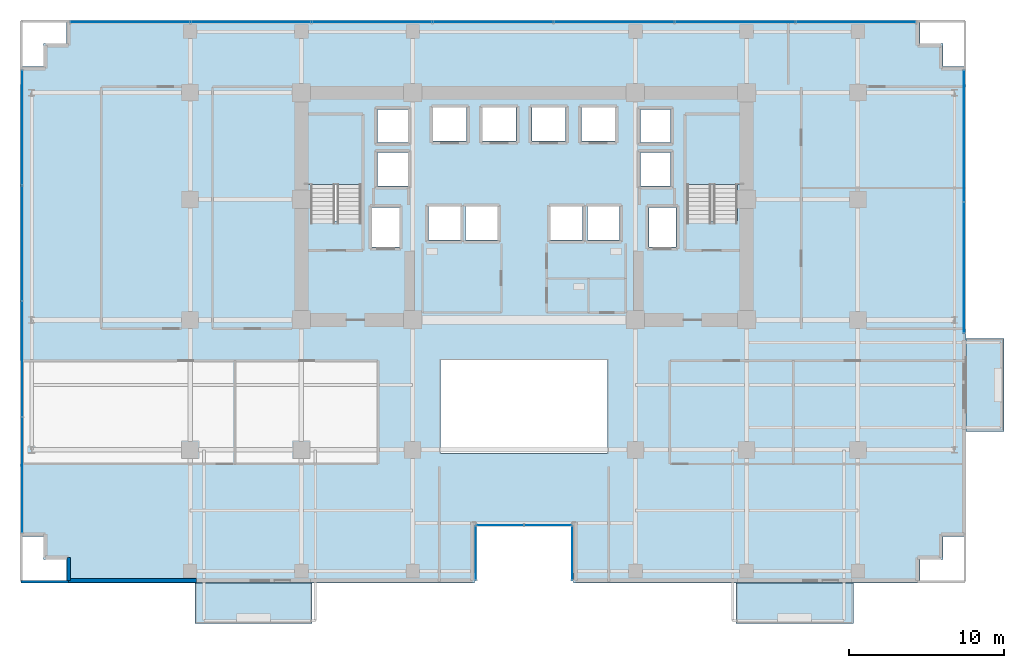
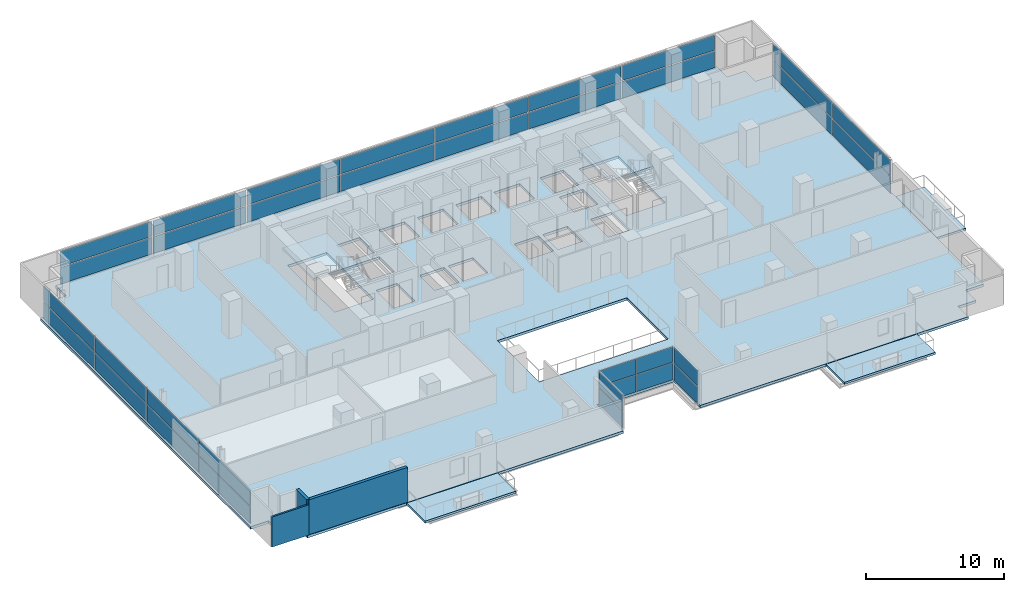
# One storey, part 21 of 29: 34 plates, 6 slabs, 3 walls, 8 elements without a shape of their own.
"""IFC4 building model written with IfcOpenShell, lengths in metres."""

from ifc_helpers import new_model, si_unit, direction, frame, frame_2d, origin, origin_2d, place, context, subcontext, project, spatial, polyline, rectangle, outline, extrude, source, transform, mapped, material, layer, layer_set, type_object, element, aggregate, save


model = new_model("IFC4")

# Units and contexts
model_context = context("Model", 3, precision=1e-05, world=origin(), true_north=direction((0.0, 1.0)))
body_context = subcontext(model_context, "Body", "Model", "MODEL_VIEW")
ifc_project = project(units=[si_unit("LENGTHUNIT", "METRE"), si_unit("AREAUNIT", "SQUARE_METRE"), si_unit("VOLUMEUNIT", "CUBIC_METRE"), si_unit("PLANEANGLEUNIT", "RADIAN"), si_unit("MASSUNIT", "GRAM", prefix="KILO")], contexts=[model_context])

# Site, building, storey
site_placement = place(None, origin())
site = spatial("IfcSite", under=ifc_project, at=site_placement, CompositionType="ELEMENT")
building_placement = place(site_placement, origin())
building = spatial("IfcBuilding", under=site, at=building_placement, Name="Zarnakvel Exchange Tower", CompositionType="ELEMENT")
storey_placement = place(building_placement, frame((0.0, 0.0, 37.300048828125)))
storey = spatial("IfcBuildingStorey", under=building, at=storey_placement, Name="L09", CompositionType="ELEMENT", Elevation=37.300048828125)

# Stair, slab
ifc_material_1 = material(Name="Concrete C40/50", Category="concrete")
stair_type = type_object("IfcStairType", Name="STR-01", PredefinedType="HALF_TURN_STAIR", material=ifc_material_1)
stair_1_placement = place(storey_placement, origin())
stair_1 = element("IfcStair", 1, at=stair_1_placement, inside=storey, type_object=stair_type, Name="L09 Protected Core Exit Stair ST-01", PredefinedType="HALF_TURN_STAIR")
ifc_layer_1 = layer(ifc_material_1, 0.199951171875)
ifc_layer_set_1 = layer_set([ifc_layer_1], Name="Concrete C40/50")
slab_type_1 = type_object("IfcSlabType", Name="LDG-01", PredefinedType="LANDING", material=ifc_layer_set_1)
slab_1_placement = place(storey_placement, frame((0.0, 0.0, 1.449951171875)))
slab_1 = element("IfcSlab", 2, at=slab_1_placement, type_object=slab_type_1, Name="ST-01 landing 1", PredefinedType="LANDING", context=body_context, shape_type="SweptSolid", body=[
    extrude(outline(polyline([(-14.18994140625, 7.570068359375), (-10.4599609375, 7.570068359375), (-10.4599609375, 12.080078125), (-14.18994140625, 12.080078125), (-14.18994140625, 7.570068359375)])), origin(), (0.0, 0.0, 1.0), 0.199951171875),
])
aggregate(stair_1, [slab_1])

stair_2_placement = place(storey_placement, origin())
stair_2 = element("IfcStair", 3, at=stair_2_placement, inside=storey, type_object=stair_type, Name="L09 Protected Core Exit Stair ST-02", PredefinedType="HALF_TURN_STAIR")
slab_2_placement = place(storey_placement, frame((0.0, 0.0, 1.449951171875)))
slab_2 = element("IfcSlab", 4, at=slab_2_placement, type_object=slab_type_1, Name="ST-02 landing 1", PredefinedType="LANDING", context=body_context, shape_type="SweptSolid", body=[
    extrude(outline(polyline([(10.4599609375, 7.570068359375), (14.18994140625, 7.570068359375), (14.18994140625, 12.080078125), (10.4599609375, 12.080078125), (10.4599609375, 7.570068359375)])), origin(), (0.0, 0.0, 1.0), 0.199951171875),
])
aggregate(stair_2, [slab_2])

# Slabs
ifc_layer_2 = layer(ifc_material_1, 0.22509765625)
ifc_layer_set_2 = layer_set([ifc_layer_2], Name="Concrete C40/50")
slab_type_2 = type_object("IfcSlabType", Name="SL-04", PredefinedType="FLOOR", material=ifc_layer_set_2)
slab_3_placement = place(storey_placement, frame((0.0, 0.0, -0.22509765625)))
element("IfcSlab", 5, at=slab_3_placement, inside=storey, type_object=slab_type_2, Name="L09 Primary Structural Floor Slab", PredefinedType="FLOOR", context=body_context, shape_type="SweptSolid", body=[
    extrude(outline(polyline([(-32.60009765625, -15.199951171875), (-31.10009765625, -15.199951171875), (-31.10009765625, -16.699951171875), (-29.60009765625, -16.699951171875), (-29.60009765625, -18.199951171875), (-3.199951171875, -18.199951171875), (-3.199951171875, -14.39990234375), (3.199951171875, -14.39990234375), (3.199951171875, -18.199951171875), (25.60009765625, -18.199951171875), (25.60009765625, -16.699951171875), (27.10009765625, -16.699951171875), (27.10009765625, -15.199951171875), (28.60009765625, -15.199951171875), (28.60009765625, 15.199951171875), (27.10009765625, 15.199951171875), (27.10009765625, 16.699951171875), (25.60009765625, 16.699951171875), (25.60009765625, 18.199951171875), (-29.60009765625, 18.199951171875), (-29.60009765625, 16.699951171875), (-31.10009765625, 16.699951171875), (-31.10009765625, 15.199951171875), (-32.60009765625, 15.199951171875), (-32.60009765625, -15.199951171875)]), holes=[polyline([(-5.39990234375, -9.800048828125), (5.39990234375, -9.800048828125), (5.39990234375, -3.800048828125), (-5.39990234375, -3.800048828125), (-5.39990234375, -9.800048828125)]), polyline([(-13.800048828125, 5.2099609375), (-10.5400390625, 5.2099609375), (-10.5400390625, 12.0), (-13.800048828125, 12.0), (-13.800048828125, 5.2099609375)]), polyline([(10.5400390625, 5.2099609375), (13.800048828125, 5.2099609375), (13.800048828125, 12.0), (10.5400390625, 12.0), (10.5400390625, 5.2099609375)]), polyline([(-9.830078125, 3.52001953125), (-8.070068359375, 3.52001953125), (-8.070068359375, 6.080078125), (-9.830078125, 6.080078125), (-9.830078125, 3.52001953125)]), polyline([(8.070068359375, 3.52001953125), (9.830078125, 3.52001953125), (9.830078125, 6.080078125), (8.070068359375, 6.080078125), (8.070068359375, 3.52001953125)]), polyline([(-5.8798828125, 10.3701171875), (-3.719970703125, 10.3701171875), (-3.719970703125, 12.530029296875), (-5.8798828125, 12.530029296875), (-5.8798828125, 10.3701171875)]), polyline([(-2.679931640625, 10.3701171875), (-0.52001953125, 10.3701171875), (-0.52001953125, 12.530029296875), (-2.679931640625, 12.530029296875), (-2.679931640625, 10.3701171875)]), polyline([(0.52001953125, 10.3701171875), (2.679931640625, 10.3701171875), (2.679931640625, 12.530029296875), (0.52001953125, 12.530029296875), (0.52001953125, 10.3701171875)]), polyline([(3.719970703125, 10.3701171875), (5.8798828125, 10.3701171875), (5.8798828125, 12.530029296875), (3.719970703125, 12.530029296875), (3.719970703125, 10.3701171875)]), polyline([(-6.179931640625, 3.969970703125), (-4.1201171875, 3.969970703125), (-4.1201171875, 6.1298828125), (-6.179931640625, 6.1298828125), (-6.179931640625, 3.969970703125)]), polyline([(-3.780029296875, 3.969970703125), (-1.719970703125, 3.969970703125), (-1.719970703125, 6.1298828125), (-3.780029296875, 6.1298828125), (-3.780029296875, 3.969970703125)]), polyline([(1.719970703125, 3.969970703125), (3.780029296875, 3.969970703125), (3.780029296875, 6.1298828125), (1.719970703125, 6.1298828125), (1.719970703125, 3.969970703125)]), polyline([(4.1201171875, 3.969970703125), (6.179931640625, 3.969970703125), (6.179931640625, 6.1298828125), (4.1201171875, 6.1298828125), (4.1201171875, 3.969970703125)]), polyline([(-9.47998046875, 7.469970703125), (-7.52001953125, 7.469970703125), (-7.52001953125, 9.6298828125), (-9.47998046875, 9.6298828125), (-9.47998046875, 7.469970703125)]), polyline([(-9.47998046875, 10.27001953125), (-7.52001953125, 10.27001953125), (-7.52001953125, 12.429931640625), (-9.47998046875, 12.429931640625), (-9.47998046875, 10.27001953125)]), polyline([(7.52001953125, 7.469970703125), (9.47998046875, 7.469970703125), (9.47998046875, 9.6298828125), (7.52001953125, 9.6298828125), (7.52001953125, 7.469970703125)]), polyline([(7.52001953125, 10.27001953125), (9.47998046875, 10.27001953125), (9.47998046875, 12.429931640625), (7.52001953125, 12.429931640625), (7.52001953125, 10.27001953125)])]), origin(), (0.0, 0.0, 1.0), 0.22509765625),
])
ifc_layer_3 = layer(ifc_material_1, 0.18994140625)
ifc_layer_set_3 = layer_set([ifc_layer_3], Name="Concrete C40/50")
slab_type_3 = type_object("IfcSlabType", Name="SL-08", PredefinedType="USERDEFINED", material=ifc_layer_set_3)
slab_4_placement = place(storey_placement, frame((0.0, 0.0, -0.22509765625)))
element("IfcSlab", 6, at=slab_4_placement, inside=storey, type_object=slab_type_3, Name="L09 Planted Loggia Balcony Slab BAL-L09-SW", ObjectType="BALCONY", PredefinedType="USERDEFINED", context=body_context, shape_type="SweptSolid", body=[
    extrude(outline(polyline([(-21.300048828125, -20.85009765625), (-13.699951171875, -20.85009765625), (-13.699951171875, -18.199951171875), (-21.300048828125, -18.199951171875), (-21.300048828125, -20.85009765625)])), origin(), (0.0, 0.0, 1.0), 0.18994140625),
])
slab_5_placement = place(storey_placement, frame((0.0, 0.0, -0.22509765625)))
element("IfcSlab", 7, at=slab_5_placement, inside=storey, type_object=slab_type_3, Name="L09 Planted Loggia Balcony Slab BAL-L09-SE", ObjectType="BALCONY", PredefinedType="USERDEFINED", context=body_context, shape_type="SweptSolid", body=[
    extrude(outline(polyline([(13.699951171875, -20.85009765625), (21.300048828125, -20.85009765625), (21.300048828125, -18.199951171875), (13.699951171875, -18.199951171875), (13.699951171875, -20.85009765625)])), origin(), (0.0, 0.0, 1.0), 0.18994140625),
])
slab_6_placement = place(storey_placement, frame((0.0, 0.0, -0.22509765625)))
element("IfcSlab", 8, at=slab_6_placement, inside=storey, type_object=slab_type_3, Name="L09 Planted Loggia Balcony Slab BAL-L09-E", ObjectType="BALCONY", PredefinedType="USERDEFINED", context=body_context, shape_type="SweptSolid", body=[
    extrude(outline(polyline([(28.60009765625, -8.39990234375), (31.050048828125, -8.39990234375), (31.050048828125, -2.39990234375), (28.60009765625, -2.39990234375), (28.60009765625, -8.39990234375)])), origin(), (0.0, 0.0, 1.0), 0.18994140625),
])

# Curtain wall, plate
ifc_material_2 = material(Name="Architectural Bronze Anodised Aluminium", Category="aluminium")
ifc_layer_4 = layer(ifc_material_2, 0.179931640625)
ifc_layer_set_4 = layer_set([ifc_layer_4], Name="Architectural Bronze Anodised Aluminium")
curtain_wall_type_1 = type_object("IfcCurtainWallType", Name="CW-05", PredefinedType="NOTDEFINED", material=ifc_layer_set_4)
curtain_wall_1_placement = place(storey_placement, origin())
curtain_wall_1 = element("IfcCurtainWall", 9, at=curtain_wall_1_placement, inside=storey, type_object=curtain_wall_type_1, Name="L09 Curtain Wall CW-L09-SLW (CW-05)", PredefinedType="NOTDEFINED")
ifc_material_3 = material(Name="Double Low-E Laminated Vision Glass", Category="glass")
ifc_layer_5 = layer(ifc_material_3, 0.02587890625)
ifc_layer_set_5 = layer_set([ifc_layer_5], Name="Double Low-E Laminated Vision Glass")
plate_type_1 = type_object("IfcPlateType", Name="CWP-05", PredefinedType="CURTAIN_PANEL", material=ifc_layer_set_5)
shared_shape_1 = source(origin(), body_context, "Body", "SweptSolid", [
    extrude(rectangle(XDim=3.4599609375, YDim=0.02587890625, at=origin_2d()), origin(), (0.0, 0.0, 1.0), 1.483642578125),
])
plate_1_placement = place(storey_placement, frame((-3.1201171875, -16.280029296875, 0.06982421875), z_axis=(0.0, 0.0, 1.0), x_axis=(0.0, 1.0, 0.0)))
plate_1 = element("IfcPlate", 10, at=plate_1_placement, type_object=plate_type_1, Name="CW-05 panel 1.1", PredefinedType="CURTAIN_PANEL", context=body_context, shape_type="MappedRepresentation", body=[
    mapped(shared_shape_1, transform((0.0, 0.0, 0.0), x_axis=(1.0, 0.0, 0.0), y_axis=(0.0, 1.0, 0.0), z_axis=(0.0, 0.0, 1.0), scale=1.0)),
])

curtain_wall_2_placement = place(storey_placement, origin())
curtain_wall_2 = element("IfcCurtainWall", 11, at=curtain_wall_2_placement, inside=storey, type_object=curtain_wall_type_1, Name="L09 Curtain Wall CW-L09-SLE (CW-05)", PredefinedType="NOTDEFINED")
plate_2_placement = place(storey_placement, frame((3.1201171875, -16.280029296875, 0.06982421875), z_axis=(0.0, 0.0, 1.0), x_axis=(0.0, -1.0, 0.0)))
plate_2 = element("IfcPlate", 12, at=plate_2_placement, type_object=plate_type_1, Name="CW-05 panel 1.1", PredefinedType="CURTAIN_PANEL", context=body_context, shape_type="MappedRepresentation", body=[
    mapped(shared_shape_1, transform((0.0, 0.0, 0.0), x_axis=(1.0, 0.0, 0.0), y_axis=(0.0, 1.0, 0.0), z_axis=(0.0, 0.0, 1.0), scale=1.0)),
])

# Plate
shared_shape_2 = source(origin(), body_context, "Body", "SweptSolid", [
    extrude(rectangle(XDim=3.4599609375, YDim=0.02587890625, at=origin_2d()), origin(), (0.0, 0.0, 1.0), 1.361328125),
])
plate_3_placement = place(storey_placement, frame((-3.1201171875, -16.280029296875, 1.62353515625), z_axis=(0.0, 0.0, 1.0), x_axis=(0.0, 1.0, 0.0)))
plate_3 = element("IfcPlate", 13, at=plate_3_placement, type_object=plate_type_1, Name="CW-05 panel 1.2", PredefinedType="CURTAIN_PANEL", context=body_context, shape_type="MappedRepresentation", body=[
    mapped(shared_shape_2, transform((0.0, 0.0, 0.0), x_axis=(1.0, 0.0, 0.0), y_axis=(0.0, 1.0, 0.0), z_axis=(0.0, 0.0, 1.0), scale=1.0)),
])

aggregate(curtain_wall_1, [plate_1, plate_3])

plate_4_placement = place(storey_placement, frame((3.1201171875, -16.280029296875, 1.62353515625), z_axis=(0.0, 0.0, 1.0), x_axis=(0.0, -1.0, 0.0)))
plate_4 = element("IfcPlate", 14, at=plate_4_placement, type_object=plate_type_1, Name="CW-05 panel 1.2", PredefinedType="CURTAIN_PANEL", context=body_context, shape_type="MappedRepresentation", body=[
    mapped(shared_shape_2, transform((0.0, 0.0, 0.0), x_axis=(1.0, 0.0, 0.0), y_axis=(0.0, 1.0, 0.0), z_axis=(0.0, 0.0, 1.0), scale=1.0)),
])

aggregate(curtain_wall_2, [plate_2, plate_4])

# Curtain wall, plates
curtain_wall_3_placement = place(storey_placement, origin())
curtain_wall_3 = element("IfcCurtainWall", 15, at=curtain_wall_3_placement, inside=storey, type_object=curtain_wall_type_1, Name="L09 Curtain Wall CW-L09-SLB (CW-05)", PredefinedType="NOTDEFINED")
shared_shape_3 = source(origin(), body_context, "Body", "SweptSolid", [
    extrude(rectangle(XDim=3.014892578125, YDim=0.02587890625, at=origin_2d()), origin(), (0.0, 0.0, 1.0), 1.483642578125),
])
plate_5_placement = place(storey_placement, frame((-1.54248046875, -14.47998046875, 0.06982421875), z_axis=(0.0, 0.0, 1.0), x_axis=(1.0, 0.0, 0.0)))
plate_5 = element("IfcPlate", 16, at=plate_5_placement, type_object=plate_type_1, Name="CW-05 panel 1.1", PredefinedType="CURTAIN_PANEL", context=body_context, shape_type="MappedRepresentation", body=[
    mapped(shared_shape_3, transform((0.0, 0.0, 0.0), x_axis=(1.0, 0.0, 0.0), y_axis=(0.0, 1.0, 0.0), z_axis=(0.0, 0.0, 1.0), scale=1.0)),
])
plate_6_placement = place(storey_placement, frame((1.54248046875, -14.47998046875, 0.06982421875), z_axis=(0.0, 0.0, 1.0), x_axis=(1.0, 0.0, 0.0)))
plate_6 = element("IfcPlate", 17, at=plate_6_placement, type_object=plate_type_1, Name="CW-05 panel 2.1", PredefinedType="CURTAIN_PANEL", context=body_context, shape_type="MappedRepresentation", body=[
    mapped(shared_shape_3, transform((0.0, 0.0, 0.0), x_axis=(1.0, 0.0, 0.0), y_axis=(0.0, 1.0, 0.0), z_axis=(0.0, 0.0, 1.0), scale=1.0)),
])
shared_shape_4 = source(origin(), body_context, "Body", "SweptSolid", [
    extrude(rectangle(XDim=3.014892578125, YDim=0.02587890625, at=origin_2d()), origin(), (0.0, 0.0, 1.0), 1.361328125),
])
plate_7_placement = place(storey_placement, frame((-1.54248046875, -14.47998046875, 1.62353515625), z_axis=(0.0, 0.0, 1.0), x_axis=(1.0, 0.0, 0.0)))
plate_7 = element("IfcPlate", 18, at=plate_7_placement, type_object=plate_type_1, Name="CW-05 panel 1.2", PredefinedType="CURTAIN_PANEL", context=body_context, shape_type="MappedRepresentation", body=[
    mapped(shared_shape_4, transform((0.0, 0.0, 0.0), x_axis=(1.0, 0.0, 0.0), y_axis=(0.0, 1.0, 0.0), z_axis=(0.0, 0.0, 1.0), scale=1.0)),
])
plate_8_placement = place(storey_placement, frame((1.54248046875, -14.47998046875, 1.62353515625), z_axis=(0.0, 0.0, 1.0), x_axis=(1.0, 0.0, 0.0)))
plate_8 = element("IfcPlate", 19, at=plate_8_placement, type_object=plate_type_1, Name="CW-05 panel 2.2", PredefinedType="CURTAIN_PANEL", context=body_context, shape_type="MappedRepresentation", body=[
    mapped(shared_shape_4, transform((0.0, 0.0, 0.0), x_axis=(1.0, 0.0, 0.0), y_axis=(0.0, 1.0, 0.0), z_axis=(0.0, 0.0, 1.0), scale=1.0)),
])
aggregate(curtain_wall_3, [plate_5, plate_7, plate_6, plate_8])

ifc_layer_6 = layer(ifc_material_2, 0.239990234375)
ifc_layer_set_6 = layer_set([ifc_layer_6], Name="Architectural Bronze Anodised Aluminium")
curtain_wall_type_2 = type_object("IfcCurtainWallType", Name="CW-02", PredefinedType="NOTDEFINED", material=ifc_layer_set_6)
curtain_wall_4_placement = place(storey_placement, origin())
curtain_wall_4 = element("IfcCurtainWall", 20, at=curtain_wall_4_placement, inside=storey, type_object=curtain_wall_type_2, Name="L09 Curtain Wall CW-L09-N1 (CW-02)", PredefinedType="NOTDEFINED")
ifc_layer_7 = layer(ifc_material_3, 0.031982421875)
ifc_layer_set_7 = layer_set([ifc_layer_7], Name="Double Low-E Laminated Vision Glass")
plate_type_2 = type_object("IfcPlateType", Name="CWP-02", PredefinedType="CURTAIN_PANEL", material=ifc_layer_set_7)
shared_shape_5 = source(origin(), body_context, "Body", "SweptSolid", [
    extrude(rectangle(XDim=7.693603515625, YDim=0.031982421875, at=origin_2d()), origin(), (0.0, 0.0, 1.0), 1.461181640625),
])
plate_9_placement = place(storey_placement, frame((-25.463134765625, 18.06005859375, 0.0849609375), z_axis=(0.0, 0.0, 1.0), x_axis=(1.0, 0.0, 0.0)))
plate_9 = element("IfcPlate", 21, at=plate_9_placement, type_object=plate_type_2, Name="CW-02 panel 1.1", PredefinedType="CURTAIN_PANEL", context=body_context, shape_type="MappedRepresentation", body=[
    mapped(shared_shape_5, transform((0.0, 0.0, 0.0), x_axis=(1.0, 0.0, 0.0), y_axis=(0.0, 1.0, 0.0), z_axis=(0.0, 0.0, 1.0), scale=1.0)),
])
plate_10_placement = place(storey_placement, frame((21.463134765625, 18.06005859375, 0.0849609375), z_axis=(0.0, 0.0, 1.0), x_axis=(1.0, 0.0, 0.0)))
plate_10 = element("IfcPlate", 22, at=plate_10_placement, type_object=plate_type_2, Name="CW-02 panel 7.1", PredefinedType="CURTAIN_PANEL", context=body_context, shape_type="MappedRepresentation", body=[
    mapped(shared_shape_5, transform((0.0, 0.0, 0.0), x_axis=(1.0, 0.0, 0.0), y_axis=(0.0, 1.0, 0.0), z_axis=(0.0, 0.0, 1.0), scale=1.0)),
])
shared_shape_6 = source(origin(), body_context, "Body", "SweptSolid", [
    extrude(rectangle(XDim=7.693603515625, YDim=0.031982421875, at=origin_2d()), origin(), (0.0, 0.0, 1.0), 1.3388671875),
])
plate_11_placement = place(storey_placement, frame((-25.463134765625, 18.06005859375, 1.631103515625), z_axis=(0.0, 0.0, 1.0), x_axis=(1.0, 0.0, 0.0)))
plate_11 = element("IfcPlate", 23, at=plate_11_placement, type_object=plate_type_2, Name="CW-02 panel 1.2", PredefinedType="CURTAIN_PANEL", context=body_context, shape_type="MappedRepresentation", body=[
    mapped(shared_shape_6, transform((0.0, 0.0, 0.0), x_axis=(1.0, 0.0, 0.0), y_axis=(0.0, 1.0, 0.0), z_axis=(0.0, 0.0, 1.0), scale=1.0)),
])
plate_12_placement = place(storey_placement, frame((21.463134765625, 18.06005859375, 1.631103515625), z_axis=(0.0, 0.0, 1.0), x_axis=(1.0, 0.0, 0.0)))
plate_12 = element("IfcPlate", 24, at=plate_12_placement, type_object=plate_type_2, Name="CW-02 panel 7.2", PredefinedType="CURTAIN_PANEL", context=body_context, shape_type="MappedRepresentation", body=[
    mapped(shared_shape_6, transform((0.0, 0.0, 0.0), x_axis=(1.0, 0.0, 0.0), y_axis=(0.0, 1.0, 0.0), z_axis=(0.0, 0.0, 1.0), scale=1.0)),
])
shared_shape_7 = source(origin(), body_context, "Body", "SweptSolid", [
    extrude(rectangle(XDim=7.738525390625, YDim=0.031982421875, at=origin_2d()), origin(), (0.0, 0.0, 1.0), 1.461181640625),
])
plate_13_placement = place(storey_placement, frame((-17.6572265625, 18.06005859375, 0.0849609375), z_axis=(0.0, 0.0, 1.0), x_axis=(1.0, 0.0, 0.0)))
plate_13 = element("IfcPlate", 25, at=plate_13_placement, type_object=plate_type_2, Name="CW-02 panel 2.1", PredefinedType="CURTAIN_PANEL", context=body_context, shape_type="MappedRepresentation", body=[
    mapped(shared_shape_7, transform((0.0, 0.0, 0.0), x_axis=(1.0, 0.0, 0.0), y_axis=(0.0, 1.0, 0.0), z_axis=(0.0, 0.0, 1.0), scale=1.0)),
])
plate_14_placement = place(storey_placement, frame((-9.82861328125, 18.06005859375, 0.0849609375), z_axis=(0.0, 0.0, 1.0), x_axis=(1.0, 0.0, 0.0)))
plate_14 = element("IfcPlate", 26, at=plate_14_placement, type_object=plate_type_2, Name="CW-02 panel 3.1", PredefinedType="CURTAIN_PANEL", context=body_context, shape_type="MappedRepresentation", body=[
    mapped(shared_shape_7, transform((0.0, 0.0, 0.0), x_axis=(1.0, 0.0, 0.0), y_axis=(0.0, 1.0, 0.0), z_axis=(0.0, 0.0, 1.0), scale=1.0)),
])
plate_15_placement = place(storey_placement, frame((-2.0, 18.06005859375, 0.0849609375), z_axis=(0.0, 0.0, 1.0), x_axis=(1.0, 0.0, 0.0)))
plate_15 = element("IfcPlate", 27, at=plate_15_placement, type_object=plate_type_2, Name="CW-02 panel 4.1", PredefinedType="CURTAIN_PANEL", context=body_context, shape_type="MappedRepresentation", body=[
    mapped(shared_shape_7, transform((0.0, 0.0, 0.0), x_axis=(1.0, 0.0, 0.0), y_axis=(0.0, 1.0, 0.0), z_axis=(0.0, 0.0, 1.0), scale=1.0)),
])
plate_16_placement = place(storey_placement, frame((5.82861328125, 18.06005859375, 0.0849609375), z_axis=(0.0, 0.0, 1.0), x_axis=(1.0, 0.0, 0.0)))
plate_16 = element("IfcPlate", 28, at=plate_16_placement, type_object=plate_type_2, Name="CW-02 panel 5.1", PredefinedType="CURTAIN_PANEL", context=body_context, shape_type="MappedRepresentation", body=[
    mapped(shared_shape_7, transform((0.0, 0.0, 0.0), x_axis=(1.0, 0.0, 0.0), y_axis=(0.0, 1.0, 0.0), z_axis=(0.0, 0.0, 1.0), scale=1.0)),
])
plate_17_placement = place(storey_placement, frame((13.6572265625, 18.06005859375, 0.0849609375), z_axis=(0.0, 0.0, 1.0), x_axis=(1.0, 0.0, 0.0)))
plate_17 = element("IfcPlate", 29, at=plate_17_placement, type_object=plate_type_2, Name="CW-02 panel 6.1", PredefinedType="CURTAIN_PANEL", context=body_context, shape_type="MappedRepresentation", body=[
    mapped(shared_shape_7, transform((0.0, 0.0, 0.0), x_axis=(1.0, 0.0, 0.0), y_axis=(0.0, 1.0, 0.0), z_axis=(0.0, 0.0, 1.0), scale=1.0)),
])
shared_shape_8 = source(origin(), body_context, "Body", "SweptSolid", [
    extrude(rectangle(XDim=7.738525390625, YDim=0.031982421875, at=origin_2d()), origin(), (0.0, 0.0, 1.0), 1.3388671875),
])
plate_18_placement = place(storey_placement, frame((-17.6572265625, 18.06005859375, 1.631103515625), z_axis=(0.0, 0.0, 1.0), x_axis=(1.0, 0.0, 0.0)))
plate_18 = element("IfcPlate", 30, at=plate_18_placement, type_object=plate_type_2, Name="CW-02 panel 2.2", PredefinedType="CURTAIN_PANEL", context=body_context, shape_type="MappedRepresentation", body=[
    mapped(shared_shape_8, transform((0.0, 0.0, 0.0), x_axis=(1.0, 0.0, 0.0), y_axis=(0.0, 1.0, 0.0), z_axis=(0.0, 0.0, 1.0), scale=1.0)),
])
plate_19_placement = place(storey_placement, frame((-9.82861328125, 18.06005859375, 1.631103515625), z_axis=(0.0, 0.0, 1.0), x_axis=(1.0, 0.0, 0.0)))
plate_19 = element("IfcPlate", 31, at=plate_19_placement, type_object=plate_type_2, Name="CW-02 panel 3.2", PredefinedType="CURTAIN_PANEL", context=body_context, shape_type="MappedRepresentation", body=[
    mapped(shared_shape_8, transform((0.0, 0.0, 0.0), x_axis=(1.0, 0.0, 0.0), y_axis=(0.0, 1.0, 0.0), z_axis=(0.0, 0.0, 1.0), scale=1.0)),
])
plate_20_placement = place(storey_placement, frame((-2.0, 18.06005859375, 1.631103515625), z_axis=(0.0, 0.0, 1.0), x_axis=(1.0, 0.0, 0.0)))
plate_20 = element("IfcPlate", 32, at=plate_20_placement, type_object=plate_type_2, Name="CW-02 panel 4.2", PredefinedType="CURTAIN_PANEL", context=body_context, shape_type="MappedRepresentation", body=[
    mapped(shared_shape_8, transform((0.0, 0.0, 0.0), x_axis=(1.0, 0.0, 0.0), y_axis=(0.0, 1.0, 0.0), z_axis=(0.0, 0.0, 1.0), scale=1.0)),
])
plate_21_placement = place(storey_placement, frame((5.82861328125, 18.06005859375, 1.631103515625), z_axis=(0.0, 0.0, 1.0), x_axis=(1.0, 0.0, 0.0)))
plate_21 = element("IfcPlate", 33, at=plate_21_placement, type_object=plate_type_2, Name="CW-02 panel 5.2", PredefinedType="CURTAIN_PANEL", context=body_context, shape_type="MappedRepresentation", body=[
    mapped(shared_shape_8, transform((0.0, 0.0, 0.0), x_axis=(1.0, 0.0, 0.0), y_axis=(0.0, 1.0, 0.0), z_axis=(0.0, 0.0, 1.0), scale=1.0)),
])
plate_22_placement = place(storey_placement, frame((13.6572265625, 18.06005859375, 1.631103515625), z_axis=(0.0, 0.0, 1.0), x_axis=(1.0, 0.0, 0.0)))
plate_22 = element("IfcPlate", 34, at=plate_22_placement, type_object=plate_type_2, Name="CW-02 panel 6.2", PredefinedType="CURTAIN_PANEL", context=body_context, shape_type="MappedRepresentation", body=[
    mapped(shared_shape_8, transform((0.0, 0.0, 0.0), x_axis=(1.0, 0.0, 0.0), y_axis=(0.0, 1.0, 0.0), z_axis=(0.0, 0.0, 1.0), scale=1.0)),
])
aggregate(curtain_wall_4, [plate_9, plate_11, plate_13, plate_18, plate_14, plate_19, plate_15, plate_20, plate_16, plate_21, plate_17, plate_22, plate_10, plate_12])

ifc_layer_8 = layer(ifc_material_2, 0.199951171875)
ifc_layer_set_8 = layer_set([ifc_layer_8], Name="Architectural Bronze Anodised Aluminium")
curtain_wall_type_3 = type_object("IfcCurtainWallType", Name="CW-04", PredefinedType="NOTDEFINED", material=ifc_layer_set_8)
curtain_wall_5_placement = place(storey_placement, origin())
curtain_wall_5 = element("IfcCurtainWall", 35, at=curtain_wall_5_placement, inside=storey, type_object=curtain_wall_type_3, Name="L09 Curtain Wall CW-L09-EN (CW-04)", PredefinedType="NOTDEFINED")
ifc_layer_9 = layer(ifc_material_3, 0.028076171875)
ifc_layer_set_9 = layer_set([ifc_layer_9], Name="Double Low-E Laminated Vision Glass")
plate_type_3 = type_object("IfcPlateType", Name="CWP-04", PredefinedType="CURTAIN_PANEL", material=ifc_layer_set_9)
shared_shape_9 = source(origin(), body_context, "Body", "SweptSolid", [
    extrude(rectangle(XDim=8.4375, YDim=0.028076171875, at=origin_2d()), origin(), (0.0, 0.0, 1.0), 1.47607421875),
])
plate_23_placement = place(storey_placement, frame((28.4599609375, 2.19384765625, 0.074951171875), z_axis=(0.0, 0.0, 1.0), x_axis=(0.0, 1.0, 0.0)))
plate_23 = element("IfcPlate", 36, at=plate_23_placement, type_object=plate_type_3, Name="CW-04 panel 1.1", PredefinedType="CURTAIN_PANEL", context=body_context, shape_type="MappedRepresentation", body=[
    mapped(shared_shape_9, transform((0.0, 0.0, 0.0), x_axis=(1.0, 0.0, 0.0), y_axis=(0.0, 1.0, 0.0), z_axis=(0.0, 0.0, 1.0), scale=1.0)),
])
plate_24_placement = place(storey_placement, frame((28.4599609375, 10.706298828125, 0.074951171875), z_axis=(0.0, 0.0, 1.0), x_axis=(0.0, 1.0, 0.0)))
plate_24 = element("IfcPlate", 37, at=plate_24_placement, type_object=plate_type_3, Name="CW-04 panel 2.1", PredefinedType="CURTAIN_PANEL", context=body_context, shape_type="MappedRepresentation", body=[
    mapped(shared_shape_9, transform((0.0, 0.0, 0.0), x_axis=(1.0, 0.0, 0.0), y_axis=(0.0, 1.0, 0.0), z_axis=(0.0, 0.0, 1.0), scale=1.0)),
])
shared_shape_10 = source(origin(), body_context, "Body", "SweptSolid", [
    extrude(rectangle(XDim=8.4375, YDim=0.028076171875, at=origin_2d()), origin(), (0.0, 0.0, 1.0), 1.35400390625),
])
plate_25_placement = place(storey_placement, frame((28.4599609375, 2.19384765625, 1.6259765625), z_axis=(0.0, 0.0, 1.0), x_axis=(0.0, 1.0, 0.0)))
plate_25 = element("IfcPlate", 38, at=plate_25_placement, type_object=plate_type_3, Name="CW-04 panel 1.2", PredefinedType="CURTAIN_PANEL", context=body_context, shape_type="MappedRepresentation", body=[
    mapped(shared_shape_10, transform((0.0, 0.0, 0.0), x_axis=(1.0, 0.0, 0.0), y_axis=(0.0, 1.0, 0.0), z_axis=(0.0, 0.0, 1.0), scale=1.0)),
])
plate_26_placement = place(storey_placement, frame((28.4599609375, 10.706298828125, 1.6259765625), z_axis=(0.0, 0.0, 1.0), x_axis=(0.0, 1.0, 0.0)))
plate_26 = element("IfcPlate", 39, at=plate_26_placement, type_object=plate_type_3, Name="CW-04 panel 2.2", PredefinedType="CURTAIN_PANEL", context=body_context, shape_type="MappedRepresentation", body=[
    mapped(shared_shape_10, transform((0.0, 0.0, 0.0), x_axis=(1.0, 0.0, 0.0), y_axis=(0.0, 1.0, 0.0), z_axis=(0.0, 0.0, 1.0), scale=1.0)),
])
aggregate(curtain_wall_5, [plate_23, plate_25, plate_24, plate_26])

curtain_wall_6_placement = place(storey_placement, origin())
curtain_wall_6 = element("IfcCurtainWall", 40, at=curtain_wall_6_placement, inside=storey, type_object=curtain_wall_type_3, Name="L09 Curtain Wall CW-L09-W1 (CW-04)", PredefinedType="NOTDEFINED")
shared_shape_11 = source(origin(), body_context, "Body", "SweptSolid", [
    extrude(rectangle(XDim=7.387451171875, YDim=0.028076171875, at=origin_2d()), origin(), (0.0, 0.0, 1.0), 1.47607421875),
])
plate_27_placement = place(storey_placement, frame((-32.4599609375, -11.231201171875, 0.074951171875), z_axis=(0.0, 0.0, 1.0), x_axis=(0.0, 1.0, 0.0)))
plate_27 = element("IfcPlate", 41, at=plate_27_placement, type_object=plate_type_3, Name="CW-04 panel 1.1", PredefinedType="CURTAIN_PANEL", context=body_context, shape_type="MappedRepresentation", body=[
    mapped(shared_shape_11, transform((0.0, 0.0, 0.0), x_axis=(1.0, 0.0, 0.0), y_axis=(0.0, 1.0, 0.0), z_axis=(0.0, 0.0, 1.0), scale=1.0)),
])
plate_28_placement = place(storey_placement, frame((-32.4599609375, 11.231201171875, 0.074951171875), z_axis=(0.0, 0.0, 1.0), x_axis=(0.0, 1.0, 0.0)))
plate_28 = element("IfcPlate", 42, at=plate_28_placement, type_object=plate_type_3, Name="CW-04 panel 4.1", PredefinedType="CURTAIN_PANEL", context=body_context, shape_type="MappedRepresentation", body=[
    mapped(shared_shape_11, transform((0.0, 0.0, 0.0), x_axis=(1.0, 0.0, 0.0), y_axis=(0.0, 1.0, 0.0), z_axis=(0.0, 0.0, 1.0), scale=1.0)),
])
shared_shape_12 = source(origin(), body_context, "Body", "SweptSolid", [
    extrude(rectangle(XDim=7.387451171875, YDim=0.028076171875, at=origin_2d()), origin(), (0.0, 0.0, 1.0), 1.35400390625),
])
plate_29_placement = place(storey_placement, frame((-32.4599609375, -11.231201171875, 1.6259765625), z_axis=(0.0, 0.0, 1.0), x_axis=(0.0, 1.0, 0.0)))
plate_29 = element("IfcPlate", 43, at=plate_29_placement, type_object=plate_type_3, Name="CW-04 panel 1.2", PredefinedType="CURTAIN_PANEL", context=body_context, shape_type="MappedRepresentation", body=[
    mapped(shared_shape_12, transform((0.0, 0.0, 0.0), x_axis=(1.0, 0.0, 0.0), y_axis=(0.0, 1.0, 0.0), z_axis=(0.0, 0.0, 1.0), scale=1.0)),
])
plate_30_placement = place(storey_placement, frame((-32.4599609375, 11.231201171875, 1.6259765625), z_axis=(0.0, 0.0, 1.0), x_axis=(0.0, 1.0, 0.0)))
plate_30 = element("IfcPlate", 44, at=plate_30_placement, type_object=plate_type_3, Name="CW-04 panel 4.2", PredefinedType="CURTAIN_PANEL", context=body_context, shape_type="MappedRepresentation", body=[
    mapped(shared_shape_12, transform((0.0, 0.0, 0.0), x_axis=(1.0, 0.0, 0.0), y_axis=(0.0, 1.0, 0.0), z_axis=(0.0, 0.0, 1.0), scale=1.0)),
])
shared_shape_13 = source(origin(), body_context, "Body", "SweptSolid", [
    extrude(rectangle(XDim=7.425048828125, YDim=0.028076171875, at=origin_2d()), origin(), (0.0, 0.0, 1.0), 1.47607421875),
])
plate_31_placement = place(storey_placement, frame((-32.4599609375, -3.75, 0.074951171875), z_axis=(0.0, 0.0, 1.0), x_axis=(0.0, 1.0, 0.0)))
plate_31 = element("IfcPlate", 45, at=plate_31_placement, type_object=plate_type_3, Name="CW-04 panel 2.1", PredefinedType="CURTAIN_PANEL", context=body_context, shape_type="MappedRepresentation", body=[
    mapped(shared_shape_13, transform((0.0, 0.0, 0.0), x_axis=(1.0, 0.0, 0.0), y_axis=(0.0, 1.0, 0.0), z_axis=(0.0, 0.0, 1.0), scale=1.0)),
])
plate_32_placement = place(storey_placement, frame((-32.4599609375, 3.75, 0.074951171875), z_axis=(0.0, 0.0, 1.0), x_axis=(0.0, 1.0, 0.0)))
plate_32 = element("IfcPlate", 46, at=plate_32_placement, type_object=plate_type_3, Name="CW-04 panel 3.1", PredefinedType="CURTAIN_PANEL", context=body_context, shape_type="MappedRepresentation", body=[
    mapped(shared_shape_13, transform((0.0, 0.0, 0.0), x_axis=(1.0, 0.0, 0.0), y_axis=(0.0, 1.0, 0.0), z_axis=(0.0, 0.0, 1.0), scale=1.0)),
])
shared_shape_14 = source(origin(), body_context, "Body", "SweptSolid", [
    extrude(rectangle(XDim=7.425048828125, YDim=0.028076171875, at=origin_2d()), origin(), (0.0, 0.0, 1.0), 1.35400390625),
])
plate_33_placement = place(storey_placement, frame((-32.4599609375, -3.75, 1.6259765625), z_axis=(0.0, 0.0, 1.0), x_axis=(0.0, 1.0, 0.0)))
plate_33 = element("IfcPlate", 47, at=plate_33_placement, type_object=plate_type_3, Name="CW-04 panel 2.2", PredefinedType="CURTAIN_PANEL", context=body_context, shape_type="MappedRepresentation", body=[
    mapped(shared_shape_14, transform((0.0, 0.0, 0.0), x_axis=(1.0, 0.0, 0.0), y_axis=(0.0, 1.0, 0.0), z_axis=(0.0, 0.0, 1.0), scale=1.0)),
])
plate_34_placement = place(storey_placement, frame((-32.4599609375, 3.75, 1.6259765625), z_axis=(0.0, 0.0, 1.0), x_axis=(0.0, 1.0, 0.0)))
plate_34 = element("IfcPlate", 48, at=plate_34_placement, type_object=plate_type_3, Name="CW-04 panel 3.2", PredefinedType="CURTAIN_PANEL", context=body_context, shape_type="MappedRepresentation", body=[
    mapped(shared_shape_14, transform((0.0, 0.0, 0.0), x_axis=(1.0, 0.0, 0.0), y_axis=(0.0, 1.0, 0.0), z_axis=(0.0, 0.0, 1.0), scale=1.0)),
])
aggregate(curtain_wall_6, [plate_27, plate_29, plate_31, plate_33, plate_32, plate_34, plate_28, plate_30])

# Walls
ifc_material_4 = material(Name="Precast concrete C40/50", Category="concrete")
ifc_layer_10 = layer(ifc_material_4, 0.239990234375)
ifc_layer_set_10 = layer_set([ifc_layer_10], Name="Precast concrete C40/50")
wall_type_1 = type_object("IfcWallType", Name="EW-02", PredefinedType="SOLIDWALL", material=ifc_layer_set_10)
wall_1_placement = place(storey_placement, frame((-29.4599609375, -18.06005859375, 0.0), z_axis=(0.0, 0.0, 1.0), x_axis=(1.0, 0.0, 0.0)))
element("IfcWall", 49, at=wall_1_placement, inside=storey, type_object=wall_type_1, Name="L09 Exterior Precast Spandrel Wall EWC-L09-22 (EW-02)", PredefinedType="SOLIDWALL", context=body_context, shape_type="SweptSolid", body=[
    extrude(rectangle(XDim=8.260009765625, YDim=0.239990234375, at=frame_2d((4.1298828125, 0.0))), origin(), (0.0, 0.0, 1.0), 3.074951171875),
])
wall_2_placement = place(storey_placement, frame((-29.4599609375, -16.56005859375, 0.0), z_axis=(0.0, 0.0, 1.0), x_axis=(0.0, -1.0, 0.0)))
element("IfcWall", 50, at=wall_2_placement, inside=storey, type_object=wall_type_1, Name="L09 Exterior Precast Spandrel Wall EWC-L09-23 (EW-02)", PredefinedType="SOLIDWALL", context=body_context, shape_type="SweptSolid", body=[
    extrude(rectangle(XDim=1.5, YDim=0.239990234375, at=frame_2d((0.75, 0.0))), origin(), (0.0, 0.0, 1.0), 3.074951171875),
])
ifc_material_5 = material(Name="Fire-Rated Gypsum Stud Partition", Category="gypsum")
ifc_layer_11 = layer(ifc_material_5, 0.14990234375)
ifc_layer_set_11 = layer_set([ifc_layer_11], Name="Fire-Rated Gypsum Stud Partition")
wall_type_2 = type_object("IfcWallType", Name="PT-01", PredefinedType="PARTITIONING", material=ifc_layer_set_11)
wall_3_placement = place(storey_placement, frame((-29.4599609375, -18.1298828125, 0.0), z_axis=(0.0, 0.0, 1.0), x_axis=(-1.0, 0.0, 0.0)))
element("IfcWall", 51, at=wall_3_placement, inside=storey, type_object=wall_type_2, Name="L09 Partition Wall PWALL-L09-029 (PT-01)", PredefinedType="PARTITIONING", context=body_context, shape_type="SweptSolid", body=[
    extrude(rectangle(XDim=3.070068359375, YDim=0.14990234375, at=frame_2d((1.53515625, 0.0))), origin(), (0.0, 0.0, 1.0), 2.6650390625),
])

save(model, "model.ifc")
